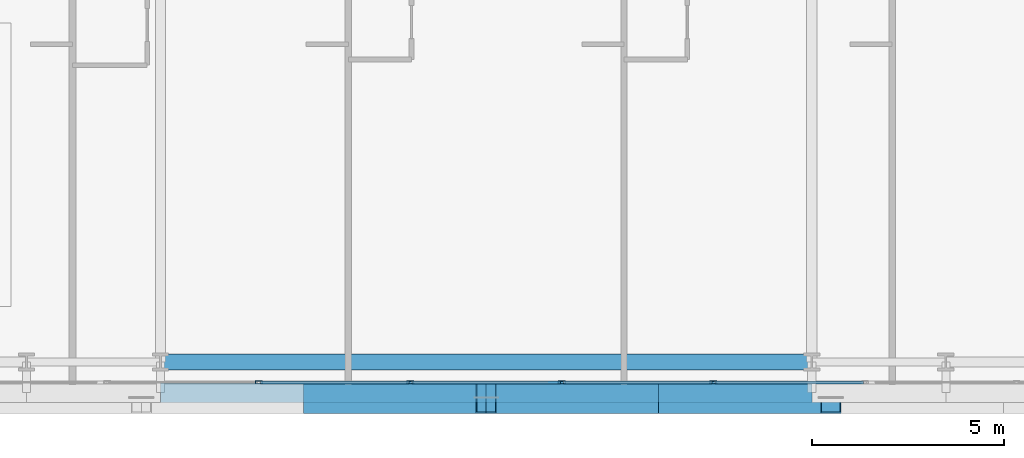
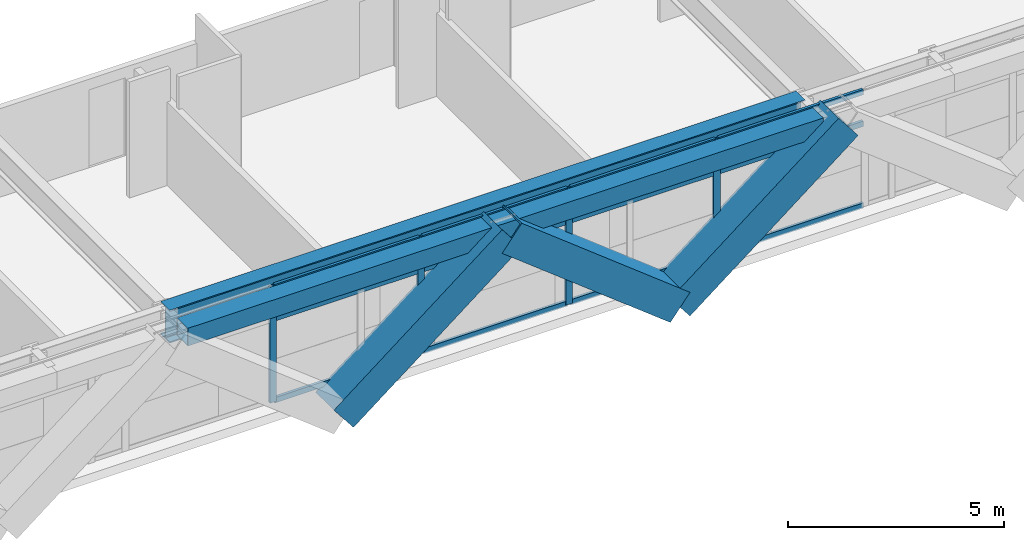
# One storey, part 5 of 35: 19 members, 2 beams, 1 element without a shape of its own.
"""IFC4 building model written with IfcOpenShell, lengths in metres."""

from ifc_helpers import new_model, si_unit, direction, frame, origin, origin_2d, place, context, subcontext, project, spatial, hollow_rectangle, i_section, extrude, source, transform, mapped, material, layer, layer_set, material_profile, profile_set, type_object, element, aggregate, save


model = new_model("IFC4")

# Units and contexts
model_context = context("Model", 3, precision=1e-05, world=origin(), true_north=direction((0.0, 1.0)))
body_context = subcontext(model_context, "Body", "Model", "MODEL_VIEW")
ifc_project = project(units=[si_unit("LENGTHUNIT", "METRE"), si_unit("AREAUNIT", "SQUARE_METRE"), si_unit("VOLUMEUNIT", "CUBIC_METRE"), si_unit("PLANEANGLEUNIT", "RADIAN"), si_unit("MASSUNIT", "GRAM", prefix="KILO")], contexts=[model_context])

# Site, building, storey
site_placement = place(None, origin())
site = spatial("IfcSite", under=ifc_project, at=site_placement, CompositionType="ELEMENT")
building_placement = place(site_placement, origin())
building = spatial("IfcBuilding", under=site, at=building_placement, Name="Ocotamira Hotel", CompositionType="ELEMENT")
storey_placement = place(building_placement, frame((0.0, 0.0, 81.60009765625)))
storey = spatial("IfcBuildingStorey", under=building, at=storey_placement, Name="L20", CompositionType="ELEMENT", Elevation=81.60009765625)

# Beams
ifc_material_1 = material(Name="Steel ASTM A992 Grade 50", Category="steel")
ifc_material_profile_1 = material_profile(ifc_material_1, i_section(OverallWidth=0.41796875, OverallDepth=0.927001953125, WebThickness=0.019287109375, FlangeThickness=0.031982421875, FilletRadius=0.02392578125, at=origin_2d()), Name="W36X231")
ifc_profile_set_1 = profile_set([ifc_material_profile_1], Name="Steel ASTM A992 Grade 50")
beam_type_1 = type_object("IfcBeamType", Name="BM-GIRD-W36X231", PredefinedType="BEAM", material=ifc_profile_set_1)
shared_shape_1 = source(origin(), body_context, "Body", "SweptSolid", [
    extrude(i_section(OverallWidth=0.41796875, OverallDepth=0.927001953125, WebThickness=0.019287109375, FlangeThickness=0.031982421875, FilletRadius=0.02392578125, at=origin_2d()), origin(), (0.0, 0.0, 1.0), 17.0),
])
beam_1_placement = place(storey_placement, frame((23.5, 2.949951171875, 2.81640625), z_axis=(1.0, 0.0, 0.0), x_axis=(0.0, 1.0, 0.0)))
element("IfcBeam", 1, at=beam_1_placement, inside=storey, type_object=beam_type_1, Name="L20 Girder Y2.95 X23.5-40.5", PredefinedType="BEAM", context=body_context, shape_type="MappedRepresentation", body=[
    mapped(shared_shape_1, transform((0.0, 0.0, 0.0), scale=1.0)),
])
ifc_material_2 = material(Name="Steel ASTM A500 Grade C", Category="steel")
ifc_material_profile_2 = material_profile(ifc_material_2, hollow_rectangle(XDim=0.5, YDim=0.5, WallThickness=0.02001953125, at=origin_2d()), Name="HSS500X500X20")
ifc_profile_set_2 = profile_set([ifc_material_profile_2], Name="Steel ASTM A500 Grade C")
beam_type_2 = type_object("IfcBeamType", Name="BM-SPAN-HSS500", PredefinedType="USERDEFINED", material=ifc_profile_set_2)
shared_shape_2 = source(origin(), body_context, "Body", "SweptSolid", [
    extrude(hollow_rectangle(XDim=0.5, YDim=0.5, WallThickness=0.02001953125, at=origin_2d()), origin(), (0.0, 0.0, 1.0), 17.0),
])
beam_2_placement = place(storey_placement, frame((23.5, 2.14990234375, 3.02978515625), z_axis=(1.0, 0.0, 0.0), x_axis=(0.0, 1.0, 0.0)))
element("IfcBeam", 2, at=beam_2_placement, inside=storey, type_object=beam_type_2, Name="L20 Edge Spandrel S X23.5-40.5", ObjectType="SPANDREL", PredefinedType="USERDEFINED", context=body_context, shape_type="MappedRepresentation", body=[
    mapped(shared_shape_2, transform((0.0, 0.0, 0.0), scale=1.0)),
])

# Members
ifc_material_3 = material(Name="Pale-metal coated steel ASTM A913 Grade 65", Category="steel")
ifc_material_profile_3 = material_profile(ifc_material_3, hollow_rectangle(XDim=0.85009765625, YDim=0.85009765625, WallThickness=0.035888671875, at=origin_2d()), Name="BOX850X850X36")
ifc_profile_set_3 = profile_set([ifc_material_profile_3], Name="Pale-metal coated steel ASTM A913 Grade 65")
member_type_1 = type_object("IfcMemberType", Name="MEM-EXO-BOX850", PredefinedType="BRACE", material=ifc_profile_set_3)
shared_shape_3 = source(origin(), body_context, "Body", "SweptSolid", [
    extrude(hollow_rectangle(XDim=0.85009765625, YDim=0.85009765625, WallThickness=0.035888671875, at=origin_2d()), origin(), (0.0, 0.0, 1.0), 5.71923828125),
])
for number, where, z_axis, x_axis, name in (
    (3, (27.5, 2.030029296875, -0.5), (0.786821712922, 0.0, 0.617180356197), (0.0, 1.0, 0.0), "L20 Exoskeleton Diagrid S1.2"),
    (4, (36.5, 2.030029296875, -0.5), (-0.786821712922, 0.0, 0.617180356197), (0.0, -1.0, 0.0), "L20 Exoskeleton Diagrid S2.1"),
    (5, (36.5, 2.030029296875, -0.5), (0.786821712922, 0.0, 0.617180356197), (0.0, 1.0, 0.0), "L20 Exoskeleton Diagrid S2.2"),
):
    element("IfcMember", number, at=place(storey_placement, frame(where, z_axis=z_axis, x_axis=x_axis)), inside=storey, type_object=member_type_1, Name=name, PredefinedType="BRACE", context=body_context, shape_type="MappedRepresentation", body=[
        mapped(shared_shape_3, transform((0.0, 0.0, 0.0), scale=1.0)),
    ])

# Curtain wall, members
ifc_material_4 = material(Name="Anodised pale-metal aluminium and solar glass", Category="aluminium")
ifc_layer = layer(ifc_material_4, 0.179931640625)
ifc_layer_set = layer_set([ifc_layer], Name="Anodised pale-metal aluminium and solar glass")
curtain_wall_type = type_object("IfcCurtainWallType", Name="CW-SYS2-Z1", PredefinedType="NOTDEFINED", material=ifc_layer_set)
curtain_wall_placement = place(storey_placement, origin())
curtain_wall = element("IfcCurtainWall", 6, at=curtain_wall_placement, inside=storey, type_object=curtain_wall_type, Name="L20 Curtain Wall CW-2 CW-L20-S1", PredefinedType="NOTDEFINED")
ifc_material_5 = material(Name="Anodised pale-metal aluminium 6063-T6", Category="aluminium")
ifc_material_profile_4 = material_profile(ifc_material_5, hollow_rectangle(XDim=0.074951171875, YDim=0.14990234375, WallThickness=0.006103515625, at=origin_2d()), Name="HSS150X75X6")
ifc_profile_set_4 = profile_set([ifc_material_profile_4], Name="Anodised pale-metal aluminium 6063-T6")
member_type_2 = type_object("IfcMemberType", Name="CWT-150X75", PredefinedType="USERDEFINED", material=ifc_profile_set_4)
shared_shape_4 = source(origin(), body_context, "Body", "SweptSolid", [
    extrude(hollow_rectangle(XDim=0.074951171875, YDim=0.14990234375, WallThickness=0.006103515625, at=origin_2d()), origin(), (0.0, 0.0, 1.0), 3.87548828125),
])
member_1_placement = place(storey_placement, frame((26.106689453125, 2.419921875, 0.037353515625), z_axis=(1.0, 0.0, 0.0), x_axis=(0.0, 1.0, 0.0)))
member_1 = element("IfcMember", 7, at=member_1_placement, type_object=member_type_2, Name="CW-2 transom 4.1", ObjectType="TRANSOM", PredefinedType="USERDEFINED", context=body_context, shape_type="MappedRepresentation", body=[
    mapped(shared_shape_4, transform((0.0, 0.0, 0.0), scale=1.0)),
])
member_2_placement = place(storey_placement, frame((26.106689453125, 2.419921875, 2.349853515625), z_axis=(1.0, 0.0, 0.0), x_axis=(0.0, 1.0, 0.0)))
member_2 = element("IfcMember", 8, at=member_2_placement, type_object=member_type_2, Name="CW-2 transom 4.2", ObjectType="TRANSOM", PredefinedType="USERDEFINED", context=body_context, shape_type="MappedRepresentation", body=[
    mapped(shared_shape_4, transform((0.0, 0.0, 0.0), scale=1.0)),
])
member_3_placement = place(storey_placement, frame((26.106689453125, 2.419921875, 3.242431640625), z_axis=(1.0, 0.0, 0.0), x_axis=(0.0, 1.0, 0.0)))
member_3 = element("IfcMember", 9, at=member_3_placement, type_object=member_type_2, Name="CW-2 transom 4.3", ObjectType="TRANSOM", PredefinedType="USERDEFINED", context=body_context, shape_type="MappedRepresentation", body=[
    mapped(shared_shape_4, transform((0.0, 0.0, 0.0), scale=1.0)),
])
member_4_placement = place(storey_placement, frame((30.062255859375, 2.419921875, 0.037353515625), z_axis=(1.0, 0.0, 0.0), x_axis=(0.0, 1.0, 0.0)))
member_4 = element("IfcMember", 10, at=member_4_placement, type_object=member_type_2, Name="CW-2 transom 5.1", ObjectType="TRANSOM", PredefinedType="USERDEFINED", context=body_context, shape_type="MappedRepresentation", body=[
    mapped(shared_shape_4, transform((0.0, 0.0, 0.0), scale=1.0)),
])
member_5_placement = place(storey_placement, frame((30.062255859375, 2.419921875, 2.349853515625), z_axis=(1.0, 0.0, 0.0), x_axis=(0.0, 1.0, 0.0)))
member_5 = element("IfcMember", 11, at=member_5_placement, type_object=member_type_2, Name="CW-2 transom 5.2", ObjectType="TRANSOM", PredefinedType="USERDEFINED", context=body_context, shape_type="MappedRepresentation", body=[
    mapped(shared_shape_4, transform((0.0, 0.0, 0.0), scale=1.0)),
])
member_6_placement = place(storey_placement, frame((30.062255859375, 2.419921875, 3.242431640625), z_axis=(1.0, 0.0, 0.0), x_axis=(0.0, 1.0, 0.0)))
member_6 = element("IfcMember", 12, at=member_6_placement, type_object=member_type_2, Name="CW-2 transom 5.3", ObjectType="TRANSOM", PredefinedType="USERDEFINED", context=body_context, shape_type="MappedRepresentation", body=[
    mapped(shared_shape_4, transform((0.0, 0.0, 0.0), scale=1.0)),
])
member_7_placement = place(storey_placement, frame((34.017822265625, 2.419921875, 0.037353515625), z_axis=(1.0, 0.0, 0.0), x_axis=(0.0, 1.0, 0.0)))
member_7 = element("IfcMember", 13, at=member_7_placement, type_object=member_type_2, Name="CW-2 transom 6.1", ObjectType="TRANSOM", PredefinedType="USERDEFINED", context=body_context, shape_type="MappedRepresentation", body=[
    mapped(shared_shape_4, transform((0.0, 0.0, 0.0), scale=1.0)),
])
member_8_placement = place(storey_placement, frame((34.017822265625, 2.419921875, 2.349853515625), z_axis=(1.0, 0.0, 0.0), x_axis=(0.0, 1.0, 0.0)))
member_8 = element("IfcMember", 14, at=member_8_placement, type_object=member_type_2, Name="CW-2 transom 6.2", ObjectType="TRANSOM", PredefinedType="USERDEFINED", context=body_context, shape_type="MappedRepresentation", body=[
    mapped(shared_shape_4, transform((0.0, 0.0, 0.0), scale=1.0)),
])
member_9_placement = place(storey_placement, frame((34.017822265625, 2.419921875, 3.242431640625), z_axis=(1.0, 0.0, 0.0), x_axis=(0.0, 1.0, 0.0)))
member_9 = element("IfcMember", 15, at=member_9_placement, type_object=member_type_2, Name="CW-2 transom 6.3", ObjectType="TRANSOM", PredefinedType="USERDEFINED", context=body_context, shape_type="MappedRepresentation", body=[
    mapped(shared_shape_4, transform((0.0, 0.0, 0.0), scale=1.0)),
])
member_10_placement = place(storey_placement, frame((37.973388671875, 2.419921875, 0.037353515625), z_axis=(1.0, 0.0, 0.0), x_axis=(0.0, 1.0, 0.0)))
member_10 = element("IfcMember", 16, at=member_10_placement, type_object=member_type_2, Name="CW-2 transom 7.1", ObjectType="TRANSOM", PredefinedType="USERDEFINED", context=body_context, shape_type="MappedRepresentation", body=[
    mapped(shared_shape_4, transform((0.0, 0.0, 0.0), scale=1.0)),
])
member_11_placement = place(storey_placement, frame((37.973388671875, 2.419921875, 2.349853515625), z_axis=(1.0, 0.0, 0.0), x_axis=(0.0, 1.0, 0.0)))
member_11 = element("IfcMember", 17, at=member_11_placement, type_object=member_type_2, Name="CW-2 transom 7.2", ObjectType="TRANSOM", PredefinedType="USERDEFINED", context=body_context, shape_type="MappedRepresentation", body=[
    mapped(shared_shape_4, transform((0.0, 0.0, 0.0), scale=1.0)),
])
member_12_placement = place(storey_placement, frame((37.973388671875, 2.419921875, 3.242431640625), z_axis=(1.0, 0.0, 0.0), x_axis=(0.0, 1.0, 0.0)))
member_12 = element("IfcMember", 18, at=member_12_placement, type_object=member_type_2, Name="CW-2 transom 7.3", ObjectType="TRANSOM", PredefinedType="USERDEFINED", context=body_context, shape_type="MappedRepresentation", body=[
    mapped(shared_shape_4, transform((0.0, 0.0, 0.0), scale=1.0)),
])
ifc_material_profile_5 = material_profile(ifc_material_5, hollow_rectangle(XDim=0.080078125, YDim=0.179931640625, WallThickness=0.006103515625, at=origin_2d()), Name="HSS180X80X6")
ifc_profile_set_5 = profile_set([ifc_material_profile_5], Name="Anodised pale-metal aluminium 6063-T6")
member_type_3 = type_object("IfcMemberType", Name="CWM-180X75", PredefinedType="MULLION", material=ifc_profile_set_5)
shared_shape_5 = source(origin(), body_context, "Body", "SweptSolid", [
    extrude(hollow_rectangle(XDim=0.080078125, YDim=0.179931640625, WallThickness=0.006103515625, at=origin_2d()), origin(), (0.0, 0.0, 1.0), 3.27978515625),
])
member_13_placement = place(storey_placement, frame((26.066650390625, 2.419921875, 0.0), z_axis=(0.0, 0.0, 1.0), x_axis=(0.0, 1.0, 0.0)))
member_13 = element("IfcMember", 19, at=member_13_placement, type_object=member_type_3, Name="CW-2 mullion 4", PredefinedType="MULLION", context=body_context, shape_type="MappedRepresentation", body=[
    mapped(shared_shape_5, transform((0.0, 0.0, 0.0), scale=1.0)),
])
member_14_placement = place(storey_placement, frame((30.022216796875, 2.419921875, 0.0), z_axis=(0.0, 0.0, 1.0), x_axis=(0.0, 1.0, 0.0)))
member_14 = element("IfcMember", 20, at=member_14_placement, type_object=member_type_3, Name="CW-2 mullion 5", PredefinedType="MULLION", context=body_context, shape_type="MappedRepresentation", body=[
    mapped(shared_shape_5, transform((0.0, 0.0, 0.0), scale=1.0)),
])
member_15_placement = place(storey_placement, frame((33.977783203125, 2.419921875, 0.0), z_axis=(0.0, 0.0, 1.0), x_axis=(0.0, 1.0, 0.0)))
member_15 = element("IfcMember", 21, at=member_15_placement, type_object=member_type_3, Name="CW-2 mullion 6", PredefinedType="MULLION", context=body_context, shape_type="MappedRepresentation", body=[
    mapped(shared_shape_5, transform((0.0, 0.0, 0.0), scale=1.0)),
])
member_16_placement = place(storey_placement, frame((37.933349609375, 2.419921875, 0.0), z_axis=(0.0, 0.0, 1.0), x_axis=(0.0, 1.0, 0.0)))
member_16 = element("IfcMember", 22, at=member_16_placement, type_object=member_type_3, Name="CW-2 mullion 7", PredefinedType="MULLION", context=body_context, shape_type="MappedRepresentation", body=[
    mapped(shared_shape_5, transform((0.0, 0.0, 0.0), scale=1.0)),
])
aggregate(curtain_wall, [member_13, member_14, member_15, member_16, member_1, member_2, member_3, member_4, member_5, member_6, member_7, member_8, member_9, member_10, member_11, member_12])

save(model, "model.ifc")
